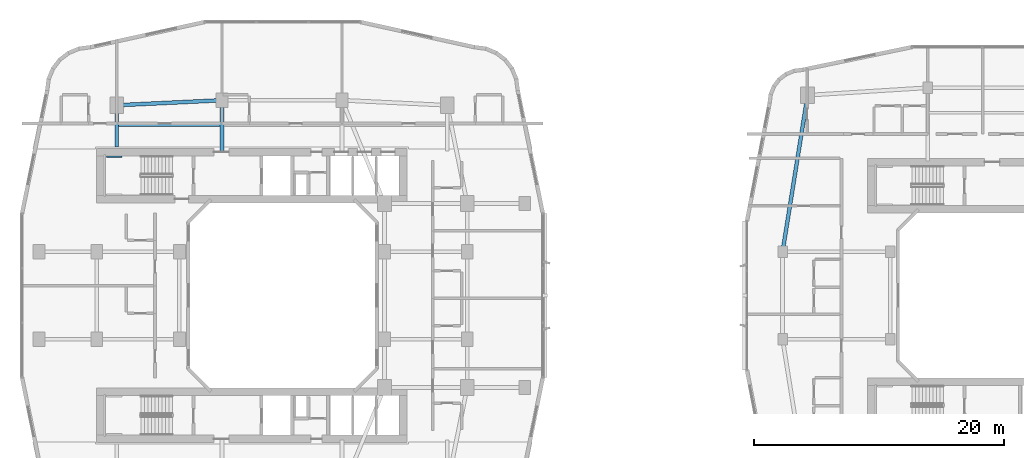
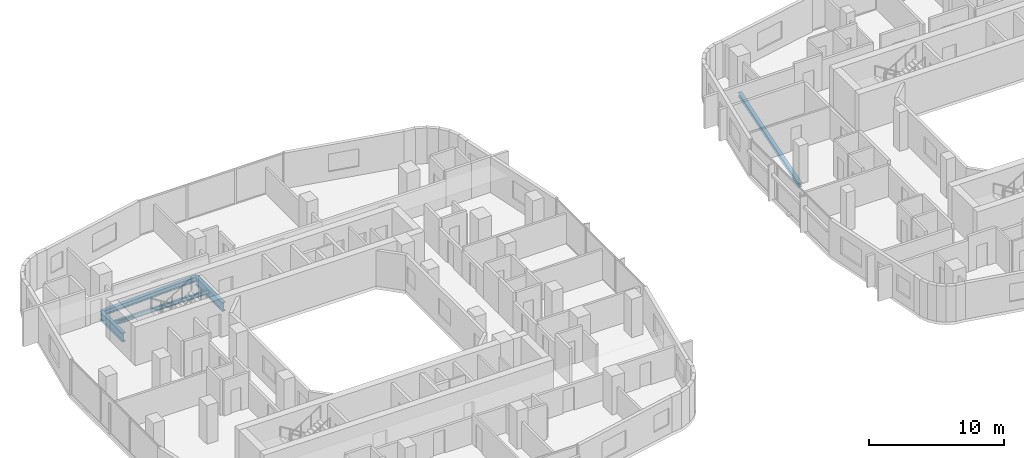
# One storey, part 6 of 27: 6 beams.
"""IFC4 building model written with IfcOpenShell, lengths in metres."""

from ifc_helpers import new_model, si_unit, derived_unit, direction, frame, origin, origin_2d, place, context, subcontext, project, spatial, i_section, extrude, material, material_profile, profile_set, type_object, element, save


model = new_model("IFC4")

# Units and contexts
model_context = context("Model", 3, precision=1e-05, world=origin(), true_north=direction((0.0, 1.0)))
body_context = subcontext(model_context, "Body", "Model", "MODEL_VIEW")
ifc_project = project(units=[si_unit("LENGTHUNIT", "METRE"), si_unit("AREAUNIT", "SQUARE_METRE"), si_unit("VOLUMEUNIT", "CUBIC_METRE"), si_unit("PLANEANGLEUNIT", "RADIAN"), si_unit("MASSUNIT", "GRAM", prefix="KILO"), derived_unit("THERMALTRANSMITTANCEUNIT", [(si_unit("POWERUNIT", "WATT"), 1), (si_unit("LENGTHUNIT", "METRE"), -2), (si_unit("THERMODYNAMICTEMPERATUREUNIT", "KELVIN"), -1)])], contexts=[model_context])

# Site, building, storey
site_placement = place(None, origin())
site = spatial("IfcSite", under=ifc_project, at=site_placement, CompositionType="ELEMENT")
building_placement = place(site_placement, origin())
building = spatial("IfcBuilding", under=site, at=building_placement, Name="Kivonza Crest Hotel", CompositionType="ELEMENT")
storey_placement = place(building_placement, frame((0.0, 0.0, 38.0)))
storey = spatial("IfcBuildingStorey", under=building, at=storey_placement, Name="L09", CompositionType="ELEMENT", Elevation=38.0)

# Beams
ifc_material = material(Name="Steel S355", Category="steel")
ifc_material_profile_1 = material_profile(ifc_material, i_section(OverallWidth=0.300048828125, OverallDepth=0.360107421875, WebThickness=0.012451171875, FlangeThickness=0.0224609375, FilletRadius=0.027099609375, at=origin_2d()), Name="HEB 360")
ifc_profile_set_1 = profile_set([ifc_material_profile_1], Name="Steel S355")
beam_type_1 = type_object("IfcBeamType", Name="BM-HEB360", PredefinedType="SPANDREL", material=ifc_profile_set_1)
beam_1_placement = place(storey_placement, frame((63.0, 41.0, -0.429931640625), z_axis=(-0.157990501107, -0.987440631917, 0.0), x_axis=(0.987440631917, -0.157990501107, 0.0)))
element("IfcBeam", 1, at=beam_1_placement, inside=storey, type_object=beam_type_1, Name="Companion Tower T2 L09 perimeter spandrel NW-W2", PredefinedType="SPANDREL", context=body_context, shape_type="SweptSolid", body=[
    extrude(i_section(OverallWidth=0.300048828125, OverallDepth=0.360107421875, WebThickness=0.012451171875, FlangeThickness=0.0224609375, FilletRadius=0.027099609375, at=origin_2d()), origin(), (0.0, 0.0, 1.0), 12.658935546875),
])
ifc_material_profile_2 = material_profile(ifc_material, i_section(OverallWidth=0.300048828125, OverallDepth=0.449951171875, WebThickness=0.013916015625, FlangeThickness=0.02587890625, FilletRadius=0.027099609375, at=origin_2d()), Name="HEB 450")
ifc_profile_set_2 = profile_set([ifc_material_profile_2], Name="Steel S355")
beam_type_2 = type_object("IfcBeamType", Name="BM-HEB450", PredefinedType="SPANDREL", material=ifc_profile_set_2)
beam_2_placement = place(storey_placement, frame((16.199951171875, 40.60009765625, -0.5048828125), z_axis=(-0.998867283688, -0.047583080799, 0.0), x_axis=(0.047583080799, -0.998867283688, 0.0)))
element("IfcBeam", 2, at=beam_2_placement, inside=storey, type_object=beam_type_2, Name="Tower T1 L09 perimeter spandrel N1-NW", PredefinedType="SPANDREL", context=body_context, shape_type="SweptSolid", body=[
    extrude(i_section(OverallWidth=0.300048828125, OverallDepth=0.449951171875, WebThickness=0.013916015625, FlangeThickness=0.02587890625, FilletRadius=0.027099609375, at=origin_2d()), origin(), (0.0, 0.0, 1.0), 8.409423828125),
])
ifc_material_profile_3 = material_profile(ifc_material, i_section(OverallWidth=0.300048828125, OverallDepth=0.800048828125, WebThickness=0.017578125, FlangeThickness=0.032958984375, FilletRadius=0.030029296875, at=origin_2d()), Name="HEB 800")
ifc_profile_set_3 = profile_set([ifc_material_profile_3], Name="Steel S355")
beam_type_3 = type_object("IfcBeamType", Name="BM-HEB800", PredefinedType="BEAM", material=ifc_profile_set_3)
beam_3_placement = place(storey_placement, frame((7.800048828125, 40.199951171875, -0.679931640625), z_axis=(0.0, -1.0, 0.0), x_axis=(1.0, 0.0, 0.0)))
element("IfcBeam", 3, at=beam_3_placement, inside=storey, type_object=beam_type_3, Name="Tower T1 L09 radial core girder RNW", PredefinedType="BEAM", context=body_context, shape_type="SweptSolid", body=[
    extrude(i_section(OverallWidth=0.300048828125, OverallDepth=0.800048828125, WebThickness=0.017578125, FlangeThickness=0.032958984375, FilletRadius=0.030029296875, at=origin_2d()), origin(), (0.0, 0.0, 1.0), 3.349853515625),
])
beam_4_placement = place(storey_placement, frame((16.199951171875, 40.60009765625, -0.679931640625), z_axis=(0.0, -1.0, 0.0), x_axis=(1.0, 0.0, 0.0)))
element("IfcBeam", 4, at=beam_4_placement, inside=storey, type_object=beam_type_3, Name="Tower T1 L09 radial core girder RN1", PredefinedType="BEAM", context=body_context, shape_type="SweptSolid", body=[
    extrude(i_section(OverallWidth=0.300048828125, OverallDepth=0.800048828125, WebThickness=0.017578125, FlangeThickness=0.032958984375, FilletRadius=0.030029296875, at=origin_2d()), origin(), (0.0, 0.0, 1.0), 4.050048828125),
])
ifc_material_profile_4 = material_profile(ifc_material, i_section(OverallWidth=0.169921875, OverallDepth=0.360107421875, WebThickness=0.008056640625, FlangeThickness=0.0126953125, FilletRadius=0.01806640625, at=origin_2d()), Name="IPE 360")
ifc_profile_set_4 = profile_set([ifc_material_profile_4], Name="Steel S355")
beam_type_4 = type_object("IfcBeamType", Name="BM-IPE360", PredefinedType="JOIST", material=ifc_profile_set_4)
beam_5_placement = place(storey_placement, frame((7.8798828125, 38.60009765625, -0.4599609375), z_axis=(1.0, 0.0, 0.0), x_axis=(0.0, 1.0, 0.0)))
element("IfcBeam", 5, at=beam_5_placement, inside=storey, type_object=beam_type_4, Name="Tower T1 L09 North-West floor joist", PredefinedType="JOIST", context=body_context, shape_type="SweptSolid", body=[
    extrude(i_section(OverallWidth=0.169921875, OverallDepth=0.360107421875, WebThickness=0.008056640625, FlangeThickness=0.0126953125, FilletRadius=0.01806640625, at=origin_2d()), origin(), (0.0, 0.0, 1.0), 8.240234375),
])
ifc_material_profile_5 = material_profile(ifc_material, i_section(OverallWidth=0.1201171875, OverallDepth=0.239990234375, WebThickness=0.006103515625, FlangeThickness=0.009765625, FilletRadius=0.014892578125, at=origin_2d()), Name="IPE 240")
ifc_profile_set_5 = profile_set([ifc_material_profile_5], Name="Steel S355")
beam_type_5 = type_object("IfcBeamType", Name="BM-LLDG-240", PredefinedType="BEAM", material=ifc_profile_set_5)
beam_6_placement = place(storey_placement, frame((6.989990234375, 36.10009765625, 1.429931640625), z_axis=(1.0, 0.0, 0.0), x_axis=(0.0, 1.0, 0.0)))
element("IfcBeam", 6, at=beam_6_placement, inside=storey, type_object=beam_type_5, Name="Stair ST-T1-N L09 North landing corbel", PredefinedType="BEAM", context=body_context, shape_type="SweptSolid", body=[
    extrude(i_section(OverallWidth=0.1201171875, OverallDepth=0.239990234375, WebThickness=0.006103515625, FlangeThickness=0.009765625, FilletRadius=0.014892578125, at=origin_2d()), origin(), (0.0, 0.0, 1.0), 1.2099609375),
])

save(model, "model.ifc")
